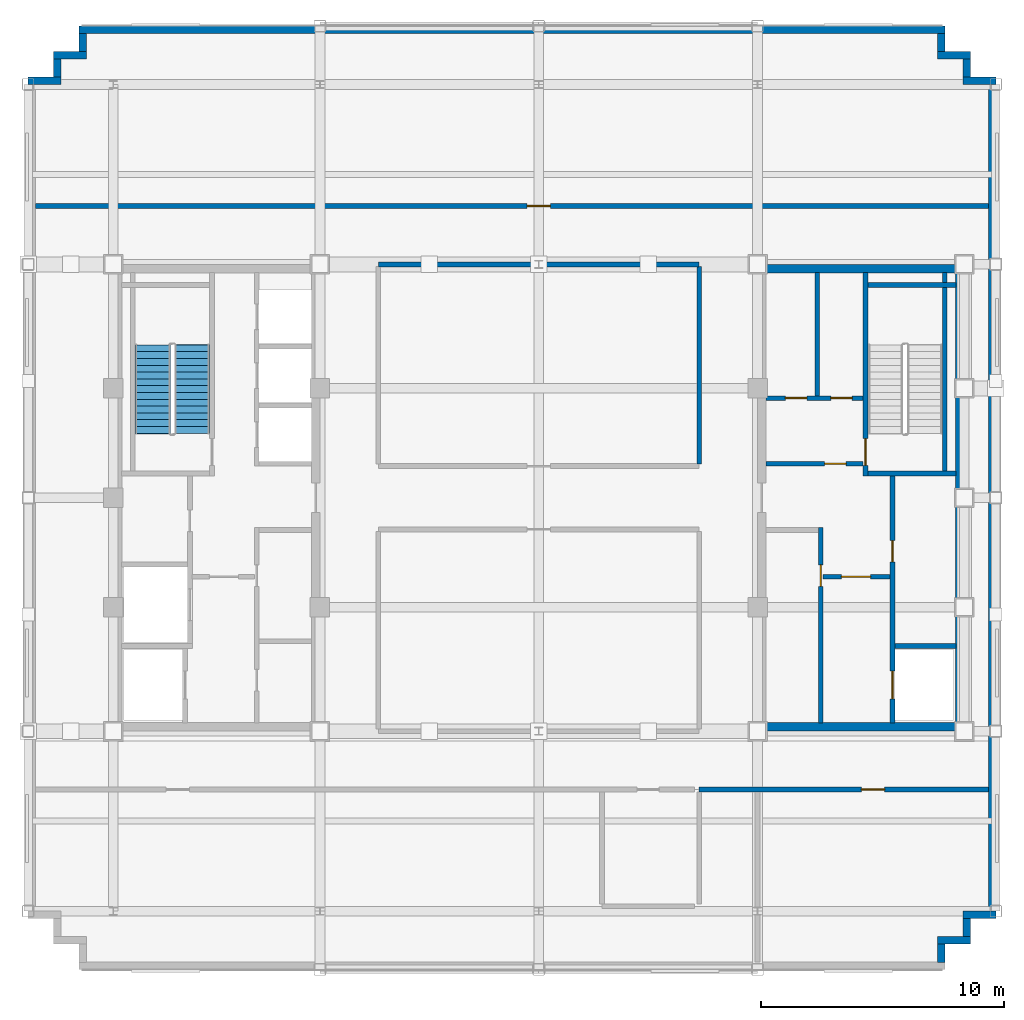
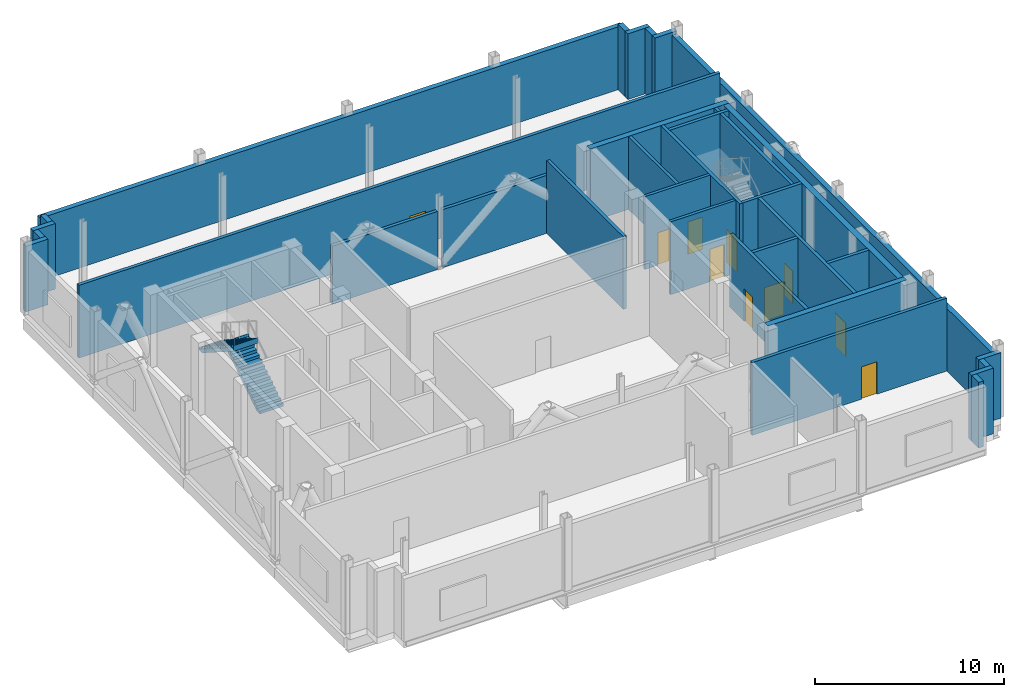
# One storey, part 7 of 12: 33 walls, 10 doors, 2 stair flights, 10 openings, 1 element without a shape of its own.
"""IFC4 building model written with IfcOpenShell, lengths in metres."""

import ifcopenshell
import ifcopenshell.guid

model = None  # the IFC model being written
_history = None  # IfcOwnerHistory: only IFC2X3 demands one
_inside = {}  # id of a spatial element -> (the spatial element, [elements in it])
_under = {}  # id of a project, library or spatial element -> (it, [spatial elements below it])
_declared = {}  # id of a project -> (the project, [libraries it declares])
_typed = {}  # id of a type object -> (the type object, [elements of that type])
_made_of = {}  # id of a material, layer set ... -> (it, [elements and type objects made of it])


def new_model(schema):
    """Start an empty IFC model of exactly this schema.

    Asked for "IFC4X3", IfcOpenShell would pick the latest addendum, in which some entities
    have other attributes; the version numbers below select the first issue.
    IFC2X3 requires an IfcOwnerHistory on every rooted entity: one is made here for all.
    """
    global model, _history
    if schema == "IFC4X3":
        model = ifcopenshell.file(schema_version=(4, 3, 0, 0))
    else:
        model = ifcopenshell.file(schema=schema)
    _inside.clear()
    _under.clear()
    _declared.clear()
    _typed.clear()
    _made_of.clear()
    _history = None
    if model.schema == "IFC2X3":
        org = make("IfcOrganization", Name="unknown")
        user = make(
            "IfcPersonAndOrganization",
            ThePerson=make("IfcPerson", FamilyName="unknown"),
            TheOrganization=org,
        )
        app = make(
            "IfcApplication",
            ApplicationDeveloper=org,
            Version="unknown",
            ApplicationFullName="unknown",
            ApplicationIdentifier="unknown",
        )
        _history = make(
            "IfcOwnerHistory",
            OwningUser=user,
            OwningApplication=app,
            ChangeAction="ADDED",
            CreationDate=0,
        )
    return model


def make(cls, **values):
    """One entity of the class cls with the attributes given. An attribute that is None is left unset."""
    return model.create_entity(
        cls, **{name: value for name, value in values.items() if value is not None}
    )


def rooted(cls, **values):
    """An entity with a GlobalId (a new one), such as an element, a storey or a relation."""
    return make(cls, GlobalId=ifcopenshell.guid.new(), OwnerHistory=_history, **values)


def si_unit(unit_type, name, prefix=None):
    """IfcSIUnit, for example si_unit("LENGTHUNIT", "METRE", prefix="MILLI")."""
    return make("IfcSIUnit", UnitType=unit_type, Prefix=prefix, Name=name)


def assignment(units):
    """IfcUnitAssignment: the units of a project."""
    return None if units is None else make("IfcUnitAssignment", Units=units)


def point(xyz):
    """IfcCartesianPoint."""
    return None if xyz is None else make("IfcCartesianPoint", Coordinates=xyz)


def direction(xyz):
    """IfcDirection."""
    return None if xyz is None else make("IfcDirection", DirectionRatios=xyz)


def frame(location, z_axis=None, x_axis=None):
    """IfcAxis2Placement3D, a coordinate frame: its origin and axes. An axis left out is left unset."""
    return make(
        "IfcAxis2Placement3D",
        Location=point(location),
        Axis=direction(z_axis),
        RefDirection=direction(x_axis),
    )


def frame_2d(location, x_axis=None):
    """IfcAxis2Placement2D, a coordinate frame in the plane: its origin and x axis."""
    return make(
        "IfcAxis2Placement2D", Location=point(location), RefDirection=direction(x_axis)
    )


def origin():
    """The frame at (0, 0, 0) with its axes left unset."""
    return frame((0.0, 0.0, 0.0))


def place(relative_to, where):
    """IfcLocalPlacement: puts the frame where relative to a parent placement (None: the world)."""
    return make(
        "IfcLocalPlacement", PlacementRelTo=relative_to, RelativePlacement=where
    )


def context(
    kind, dimensions, precision=None, world=None, true_north=None, identifier=None
):
    """IfcGeometricRepresentationContext, for example the 3D "Model" context."""
    return make(
        "IfcGeometricRepresentationContext",
        ContextIdentifier=identifier,
        ContextType=kind,
        CoordinateSpaceDimension=dimensions,
        Precision=precision,
        WorldCoordinateSystem=world,
        TrueNorth=true_north,
    )


def subcontext(parent, identifier, kind, view, scale=None):
    """IfcGeometricRepresentationSubContext, for example "Body" below "Model"."""
    return make(
        "IfcGeometricRepresentationSubContext",
        ContextIdentifier=identifier,
        ContextType=kind,
        ParentContext=parent,
        TargetScale=scale,
        TargetView=view,
    )


def project(units=None, contexts=None):
    """IfcProject with its units and contexts."""
    return rooted(
        "IfcProject",
        Name="project",
        RepresentationContexts=contexts,
        UnitsInContext=assignment(units),
    )


def spatial(cls, under=None, at=None, **own):
    """A site, building, storey or space (cls), placed at a placement, below another one or the project."""
    s = rooted(cls, ObjectPlacement=at, **own)
    if under is not None:
        _under.setdefault(under.id(), (under, []))[1].append(s)
    return s


def polyline(points):
    """IfcPolyline through the points."""
    return make("IfcPolyline", Points=[point(p) for p in points])


def profile(cls, at=None, kind="AREA", **sizes):
    """A parametric profile (cls). Its sizes go by their IFC names, for example OverallWidth=200.0."""
    return make(cls, ProfileType=kind, Position=at, **sizes)


def rectangle(**sizes):
    """IfcRectangleProfileDef."""
    return profile("IfcRectangleProfileDef", **sizes)


def outline(outer, holes=None, kind="AREA"):
    """IfcArbitraryClosedProfileDef: a profile drawn as a closed curve; with holes, ...WithVoids."""
    if holes is None:
        return make("IfcArbitraryClosedProfileDef", ProfileType=kind, OuterCurve=outer)
    return make(
        "IfcArbitraryProfileDefWithVoids",
        ProfileType=kind,
        OuterCurve=outer,
        InnerCurves=holes,
    )


def extrude(swept, where, along, depth):
    """IfcExtrudedAreaSolid: the profile swept, set in the frame where, extruded along a direction by depth."""
    return make(
        "IfcExtrudedAreaSolid",
        SweptArea=swept,
        Position=where,
        ExtrudedDirection=direction(along),
        Depth=depth,
    )


def shape(context_of_items, identifier, shape_type, items):
    """IfcShapeRepresentation: the items that make up one representation, for example the "Body"."""
    return make(
        "IfcShapeRepresentation",
        ContextOfItems=context_of_items,
        RepresentationIdentifier=identifier,
        RepresentationType=shape_type,
        Items=items,
    )


def source(mapping_origin, context_of_items, identifier, shape_type, items):
    """IfcRepresentationMap: a shape defined once, which mapped items show again and again."""
    return make(
        "IfcRepresentationMap",
        MappingOrigin=mapping_origin,
        MappedRepresentation=shape(context_of_items, identifier, shape_type, items),
    )


def transform(
    local_origin,
    x_axis=None,
    y_axis=None,
    z_axis=None,
    scale=None,
    scale2=None,
    scale3=None,
    uniform=True,
):
    """IfcCartesianTransformationOperator3D, or its non-uniform kind. x_axis, y_axis, z_axis: its Axis1, 2, 3."""
    if uniform:
        return make(
            "IfcCartesianTransformationOperator3D",
            Axis1=direction(x_axis),
            Axis2=direction(y_axis),
            LocalOrigin=point(local_origin),
            Scale=scale,
            Axis3=direction(z_axis),
        )
    return make(
        "IfcCartesianTransformationOperator3DnonUniform",
        Axis1=direction(x_axis),
        Axis2=direction(y_axis),
        LocalOrigin=point(local_origin),
        Scale=scale,
        Axis3=direction(z_axis),
        Scale2=scale2,
        Scale3=scale3,
    )


def mapped(mapping_source, mapping_target):
    """IfcMappedItem: shows the shape of a source again, moved by a transform."""
    return make(
        "IfcMappedItem", MappingSource=mapping_source, MappingTarget=mapping_target
    )


def material(Name=None, Category=None):
    """IfcMaterial."""
    return make("IfcMaterial", Name=Name, Category=Category)


def layer(
    of_material, thickness, ventilated=None, Name=None, Category=None, Priority=None
):
    """IfcMaterialLayer: one layer of a wall or slab, of a material (None: an air gap)."""
    return make(
        "IfcMaterialLayer",
        Material=of_material,
        LayerThickness=thickness,
        IsVentilated=ventilated,
        Name=Name,
        Category=Category,
        Priority=Priority,
    )


def layer_set(layers, Name=None):
    """IfcMaterialLayerSet."""
    return make("IfcMaterialLayerSet", MaterialLayers=layers, LayerSetName=Name)


def made_of(thing, what):
    """Note that an element or type object is made of a material, layer set ...; save() writes the relation."""
    if what is not None:
        _made_of.setdefault(what.id(), (what, []))[1].append(thing)
    return thing


def type_object(cls, material=None, **own):
    """A type object (cls), such as IfcWallType, which elements share."""
    return made_of(rooted(cls, **own), material)


def type_shapes(of_type, sources):
    """Give a type object the sources (RepresentationMaps) that its elements show as mapped items."""
    of_type.RepresentationMaps = sources


def element(
    cls,
    number,
    at=None,
    inside=None,
    cuts=None,
    type_object=None,
    material=None,
    context=None,
    identifier="Body",
    shape_type=None,
    held_by="IfcProductDefinitionShape",
    body=None,
    shapes=None,
    **own,
):
    """One element of the class cls, such as IfcWall. Its Tag is "e" and its number.

    at: its placement. inside: the storey or other place that contains it. cuts: it is an
    opening in that element (IfcRelVoidsElement). A single representation is given by context,
    identifier, shape_type and body (its items); several are given by shapes. held_by: the class
    of the entity that holds the representations. save() writes the other relations.
    """
    e = rooted(cls, Tag="e%d" % number, ObjectPlacement=at, **own)
    if body is not None:
        shapes = [shape(context, identifier, shape_type, body)]
    if shapes is not None:
        e.Representation = make(held_by, Representations=shapes)
    if inside is not None:
        _inside.setdefault(inside.id(), (inside, []))[1].append(e)
    if cuts is not None:
        rooted(
            "IfcRelVoidsElement", RelatingBuildingElement=cuts, RelatedOpeningElement=e
        )
    if type_object is not None:
        _typed.setdefault(type_object.id(), (type_object, []))[1].append(e)
    return made_of(e, material)


def fill(opening, filler):
    """IfcRelFillsElement: the door or window that sits in an opening."""
    return rooted(
        "IfcRelFillsElement",
        RelatingOpeningElement=opening,
        RelatedBuildingElement=filler,
    )


def aggregate(whole, parts):
    """IfcRelAggregates: a whole, such as a stair, and the parts it consists of."""
    return rooted("IfcRelAggregates", RelatingObject=whole, RelatedObjects=parts)


def save(model, path):
    """Write the relations noted so far, then the file.

    IfcRelAggregates (storeys below a building ...), IfcRelContainedInSpatialStructure (elements
    in a storey), IfcRelDefinesByType, IfcRelAssociatesMaterial and IfcRelDeclares: one each for
    every whole, place, type object, material and project.
    """
    for whole, parts in _under.values():
        aggregate(whole, parts)
    for where, things in _inside.values():
        rooted(
            "IfcRelContainedInSpatialStructure",
            RelatedElements=things,
            RelatingStructure=where,
        )
    for kind, things in _typed.values():
        rooted("IfcRelDefinesByType", RelatedObjects=things, RelatingType=kind)
    for what, things in _made_of.values():
        rooted("IfcRelAssociatesMaterial", RelatedObjects=things, RelatingMaterial=what)
    for by, libraries in _declared.values():
        rooted("IfcRelDeclares", RelatingContext=by, RelatedDefinitions=libraries)
    model.write(path)


model = new_model("IFC4")

# Units and contexts
model_context = context("Model", 3, precision=1e-05, world=origin(), true_north=direction((0.0, 1.0)))
body_context = subcontext(model_context, "Body", "Model", "MODEL_VIEW")
ifc_project = project(units=[si_unit("LENGTHUNIT", "METRE"), si_unit("AREAUNIT", "SQUARE_METRE"), si_unit("VOLUMEUNIT", "CUBIC_METRE"), si_unit("PLANEANGLEUNIT", "RADIAN"), si_unit("MASSUNIT", "GRAM", prefix="KILO")], contexts=[model_context])

# Site, building, storey
site_placement = place(None, origin())
site = spatial("IfcSite", under=ifc_project, at=site_placement, CompositionType="ELEMENT")
building_placement = place(site_placement, origin())
building = spatial("IfcBuilding", under=site, at=building_placement, Name="Nuvemarco Arch Tower", CompositionType="ELEMENT")
storey_placement = place(building_placement, frame((0.0, 0.0, 252.949951171875)))
storey = spatial("IfcBuildingStorey", under=building, at=storey_placement, Name="L67", CompositionType="ELEMENT", Elevation=252.949951171875)

# Walls
ifc_material_1 = material(Name="Precast concrete C45/55", Category="concrete")
ifc_layer_1 = layer(ifc_material_1, 0.300048828125, Name="EW-HIGH-300")
ifc_layer_set_1 = layer_set([ifc_layer_1], Name="Precast concrete C45/55")
wall_type_1 = type_object("IfcWallType", Name="EW-HIGH-300", PredefinedType="STANDARD", material=ifc_layer_set_1)
wall_1_placement = place(storey_placement, frame((16.550048828125, -19.10400390625, 0.0), z_axis=(0.0, 0.0, 1.0), x_axis=(0.0, 1.0, 0.0)))
element("IfcWall", 1, at=wall_1_placement, inside=storey, type_object=wall_type_1, Name="L67 exterior precast facade wall 2", PredefinedType="STANDARD", context=body_context, shape_type="SweptSolid", body=[
    extrude(rectangle(XDim=0.758056640625, YDim=0.300048828125, at=frame_2d((0.37890625, 0.0))), origin(), (0.0, 0.0, 1.0), 4.241943359375),
])
wall_2_placement = place(storey_placement, frame((16.39990234375, -18.199951171875, 0.0), z_axis=(0.0, 0.0, 1.0), x_axis=(1.0, 0.0, 0.0)))
element("IfcWall", 2, at=wall_2_placement, inside=storey, type_object=wall_type_1, Name="L67 exterior precast facade wall 3", PredefinedType="STANDARD", context=body_context, shape_type="SweptSolid", body=[
    extrude(rectangle(XDim=1.35009765625, YDim=0.300048828125, at=frame_2d((0.675048828125, 0.0))), origin(), (0.0, 0.0, 1.0), 4.241943359375),
])
wall_3_placement = place(storey_placement, frame((17.60009765625, -18.053955078125, 0.0), z_axis=(0.0, 0.0, 1.0), x_axis=(0.0, 1.0, 0.0)))
element("IfcWall", 3, at=wall_3_placement, inside=storey, type_object=wall_type_1, Name="L67 exterior precast facade wall 4", PredefinedType="STANDARD", context=body_context, shape_type="SweptSolid", body=[
    extrude(rectangle(XDim=0.758056640625, YDim=0.300048828125, at=frame_2d((0.37890625, 0.0))), origin(), (0.0, 0.0, 1.0), 4.241943359375),
])
wall_4_placement = place(storey_placement, frame((17.449951171875, -17.14990234375, 0.0), z_axis=(0.0, 0.0, 1.0), x_axis=(1.0, 0.0, 0.0)))
element("IfcWall", 4, at=wall_4_placement, inside=storey, type_object=wall_type_1, Name="L67 exterior precast facade wall 5", PredefinedType="STANDARD", context=body_context, shape_type="SweptSolid", body=[
    extrude(rectangle(XDim=1.35009765625, YDim=0.300048828125, at=frame_2d((0.675048828125, 0.0))), origin(), (0.0, 0.0, 1.0), 4.241943359375),
])
wall_5_placement = place(storey_placement, frame((18.64990234375, -17.00390625, 0.0), z_axis=(0.0, 0.0, 1.0), x_axis=(0.0, 1.0, 0.0)))
element("IfcWall", 5, at=wall_5_placement, inside=storey, type_object=wall_type_1, Name="L67 exterior precast facade wall 6", PredefinedType="STANDARD", context=body_context, shape_type="SweptSolid", body=[
    extrude(rectangle(XDim=34.0078125, YDim=0.300048828125, at=frame_2d((17.00390625, 0.0))), origin(), (0.0, 0.0, 1.0), 4.054931640625),
])
wall_6_placement = place(storey_placement, frame((17.449951171875, 17.14990234375, 0.0), z_axis=(0.0, 0.0, 1.0), x_axis=(1.0, 0.0, 0.0)))
element("IfcWall", 6, at=wall_6_placement, inside=storey, type_object=wall_type_1, Name="L67 exterior precast facade wall 7", PredefinedType="STANDARD", context=body_context, shape_type="SweptSolid", body=[
    extrude(rectangle(XDim=1.35009765625, YDim=0.300048828125, at=frame_2d((0.675048828125, 0.0))), origin(), (0.0, 0.0, 1.0), 4.241943359375),
])
wall_7_placement = place(storey_placement, frame((17.60009765625, 17.2958984375, 0.0), z_axis=(0.0, 0.0, 1.0), x_axis=(0.0, 1.0, 0.0)))
element("IfcWall", 7, at=wall_7_placement, inside=storey, type_object=wall_type_1, Name="L67 exterior precast facade wall 8", PredefinedType="STANDARD", context=body_context, shape_type="SweptSolid", body=[
    extrude(rectangle(XDim=0.758056640625, YDim=0.300048828125, at=frame_2d((0.37890625, 0.0))), origin(), (0.0, 0.0, 1.0), 4.241943359375),
])
wall_8_placement = place(storey_placement, frame((16.39990234375, 18.199951171875, 0.0), z_axis=(0.0, 0.0, 1.0), x_axis=(1.0, 0.0, 0.0)))
element("IfcWall", 8, at=wall_8_placement, inside=storey, type_object=wall_type_1, Name="L67 exterior precast facade wall 9", PredefinedType="STANDARD", context=body_context, shape_type="SweptSolid", body=[
    extrude(rectangle(XDim=1.35009765625, YDim=0.300048828125, at=frame_2d((0.675048828125, 0.0))), origin(), (0.0, 0.0, 1.0), 4.241943359375),
])
wall_9_placement = place(storey_placement, frame((16.550048828125, 18.345947265625, 0.0), z_axis=(0.0, 0.0, 1.0), x_axis=(0.0, 1.0, 0.0)))
element("IfcWall", 9, at=wall_9_placement, inside=storey, type_object=wall_type_1, Name="L67 exterior precast facade wall 10", PredefinedType="STANDARD", context=body_context, shape_type="SweptSolid", body=[
    extrude(rectangle(XDim=0.758056640625, YDim=0.300048828125, at=frame_2d((0.37890625, 0.0))), origin(), (0.0, 0.0, 1.0), 4.241943359375),
])
wall_10_placement = place(storey_placement, frame((-18.89990234375, 19.25, 0.0), z_axis=(0.0, 0.0, 1.0), x_axis=(1.0, 0.0, 0.0)))
element("IfcWall", 10, at=wall_10_placement, inside=storey, type_object=wall_type_1, Name="L67 exterior precast facade wall 11", PredefinedType="STANDARD", context=body_context, shape_type="SweptSolid", body=[
    extrude(rectangle(XDim=35.599853515625, YDim=0.300048828125, at=frame_2d((17.7998046875, 0.0))), origin(), (0.0, 0.0, 1.0), 4.054931640625),
])
wall_11_placement = place(storey_placement, frame((-18.75, 18.345947265625, 0.0), z_axis=(0.0, 0.0, 1.0), x_axis=(0.0, 1.0, 0.0)))
element("IfcWall", 11, at=wall_11_placement, inside=storey, type_object=wall_type_1, Name="L67 exterior precast facade wall 12", PredefinedType="STANDARD", context=body_context, shape_type="SweptSolid", body=[
    extrude(rectangle(XDim=0.758056640625, YDim=0.300048828125, at=frame_2d((0.37890625, 0.0))), origin(), (0.0, 0.0, 1.0), 4.241943359375),
])
wall_12_placement = place(storey_placement, frame((-19.949951171875, 18.199951171875, 0.0), z_axis=(0.0, 0.0, 1.0), x_axis=(1.0, 0.0, 0.0)))
element("IfcWall", 12, at=wall_12_placement, inside=storey, type_object=wall_type_1, Name="L67 exterior precast facade wall 13", PredefinedType="STANDARD", context=body_context, shape_type="SweptSolid", body=[
    extrude(rectangle(XDim=1.349853515625, YDim=0.300048828125, at=frame_2d((0.6748046875, 0.0))), origin(), (0.0, 0.0, 1.0), 4.241943359375),
])
wall_13_placement = place(storey_placement, frame((-19.800048828125, 17.2958984375, 0.0), z_axis=(0.0, 0.0, 1.0), x_axis=(0.0, 1.0, 0.0)))
element("IfcWall", 13, at=wall_13_placement, inside=storey, type_object=wall_type_1, Name="L67 exterior precast facade wall 14", PredefinedType="STANDARD", context=body_context, shape_type="SweptSolid", body=[
    extrude(rectangle(XDim=0.758056640625, YDim=0.300048828125, at=frame_2d((0.37890625, 0.0))), origin(), (0.0, 0.0, 1.0), 4.241943359375),
])
wall_14_placement = place(storey_placement, frame((-21.0, 17.14990234375, 0.0), z_axis=(0.0, 0.0, 1.0), x_axis=(1.0, 0.0, 0.0)))
element("IfcWall", 14, at=wall_14_placement, inside=storey, type_object=wall_type_1, Name="L67 exterior precast facade wall 15", PredefinedType="STANDARD", context=body_context, shape_type="SweptSolid", body=[
    extrude(rectangle(XDim=1.35009765625, YDim=0.300048828125, at=frame_2d((0.675048828125, 0.0))), origin(), (0.0, 0.0, 1.0), 4.241943359375),
])
ifc_material_2 = material(Name="Concrete C50/60", Category="concrete")
ifc_layer_2 = layer(ifc_material_2, 0.35009765625, Name="WL-CORE-350")
ifc_layer_set_2 = layer_set([ifc_layer_2], Name="Concrete C50/60")
wall_type_2 = type_object("IfcWallType", Name="WL-CORE-350", PredefinedType="SHEAR", material=ifc_layer_set_2)
for number, where, z_axis, x_axis, name in (
    (15, (9.0, -9.425048828125, 0.0), (0.0, 0.0, 1.0), (1.0, 0.0, 0.0), "L67 E-core shear wall S"),
    (16, (9.0, 9.425048828125, 0.0), (0.0, 0.0, 1.0), (1.0, 0.0, 0.0), "L67 E-core shear wall N"),
):
    element("IfcWall", number, at=place(storey_placement, frame(where, z_axis=z_axis, x_axis=x_axis)), inside=storey, type_object=wall_type_2, Name=name, PredefinedType="SHEAR", context=body_context, shape_type="SweptSolid", body=[
        extrude(rectangle(XDim=8.5, YDim=0.35009765625, at=frame_2d((4.25, 0.0))), origin(), (0.0, 0.0, 1.0), 4.719970703125),
    ])
wall_15_placement = place(storey_placement, frame((17.324951171875, -9.2548828125, 0.0), z_axis=(0.0, 0.0, 1.0), x_axis=(0.0, 1.0, 0.0)))
element("IfcWall", 17, at=wall_15_placement, inside=storey, type_object=wall_type_2, Name="L67 E-core shear wall E", PredefinedType="SHEAR", context=body_context, shape_type="SweptSolid", body=[
    extrude(rectangle(XDim=18.509765625, YDim=0.35009765625, at=frame_2d((9.2548828125, 0.0))), origin(), (0.0, 0.0, 1.0), 4.719970703125),
])

# Wall, opening, door
ifc_material_3 = material(Name="Fire-rated gypsum drywall partition")
ifc_layer_3 = layer(ifc_material_3, 0.179931640625, Name="WL-CORR-180")
ifc_layer_set_3 = layer_set([ifc_layer_3], Name="Fire-rated gypsum drywall partition")
wall_type_3 = type_object("IfcWallType", Name="WL-CORR-180", PredefinedType="PARTITIONING", material=ifc_layer_set_3)
wall_16_placement = place(storey_placement, frame((9.344970703125, 1.39990234375, 0.0), z_axis=(0.0, 0.0, 1.0), x_axis=(1.0, 0.0, 0.0)))
wall_16 = element("IfcWall", 18, at=wall_16_placement, inside=storey, type_object=wall_type_3, Name="L67 interior wall IW-L67-EK-S", PredefinedType="PARTITIONING", context=body_context, shape_type="SweptSolid", body=[
    extrude(rectangle(XDim=4.0, YDim=0.179931640625, at=frame_2d((2.0, 0.0))), origin(), (0.0, 0.0, 1.0), 4.7099609375),
])
opening_1_placement = place(wall_16_placement, frame((2.4150390625, 0.0, 0.0)))
opening_1 = element("IfcOpeningElement", 19, at=opening_1_placement, cuts=wall_16, Name="Opening FD-4", PredefinedType="OPENING", context=body_context, shape_type="SweptSolid", body=[
    extrude(rectangle(XDim=0.8798828125, YDim=2.10009765625, at=frame_2d((0.43994140625, 1.050048828125))), frame((0.0, 0.099853515625, 0.0), z_axis=(0.0, -1.0, 0.0), x_axis=(1.0, 0.0, 0.0)), (0.0, 0.0, 1.0), 0.199951171875),
])
ifc_material_4 = material(Name="Anodised steel fire door", Category="steel")
door_type_1 = type_object("IfcDoorType", Name="DR-RISER-FD", OperationType="NOTDEFINED", PredefinedType="DOOR", material=ifc_material_4)
shared_shape_1 = source(origin(), body_context, "Body", "SweptSolid", [
    extrude(rectangle(XDim=0.8798828125, YDim=2.10009765625, at=frame_2d((0.43994140625, 1.050048828125))), frame((0.0, 0.02490234375, 0.0), z_axis=(0.0, -1.0, 0.0), x_axis=(1.0, 0.0, 0.0)), (0.0, 0.0, 1.0), 0.050048828125),
])
type_shapes(door_type_1, [shared_shape_1])
door_1_placement = place(opening_1_placement, origin())
door_1 = element("IfcDoor", 20, at=door_1_placement, inside=storey, type_object=door_type_1, Name="L67 door FD-L67-EK3A", OperationType="SINGLE_SWING_LEFT", OverallHeight=2.10009765625, OverallWidth=0.8798828125, PredefinedType="DOOR", context=body_context, shape_type="MappedRepresentation", body=[
    mapped(shared_shape_1, transform((0.0, 0.0, 0.0), scale=1.0)),
])
fill(opening_1, door_1)

# Wall, openings, doors
wall_17_placement = place(storey_placement, frame((9.344970703125, 4.10009765625, 0.0), z_axis=(0.0, 0.0, 1.0), x_axis=(1.0, 0.0, 0.0)))
wall_17 = element("IfcWall", 21, at=wall_17_placement, inside=storey, type_object=wall_type_3, Name="L67 interior wall IW-L67-EK3H", PredefinedType="PARTITIONING", context=body_context, shape_type="SweptSolid", body=[
    extrude(rectangle(XDim=4.0, YDim=0.179931640625, at=frame_2d((2.0, 0.0))), origin(), (0.0, 0.0, 1.0), 4.7099609375),
])
opening_2_placement = place(wall_17_placement, frame((0.800048828125, 0.0, 0.0)))
opening_2 = element("IfcOpeningElement", 22, at=opening_2_placement, cuts=wall_17, Name="Opening FD-4", PredefinedType="OPENING", context=body_context, shape_type="SweptSolid", body=[
    extrude(rectangle(XDim=0.8798828125, YDim=2.10009765625, at=frame_2d((0.43994140625, 1.050048828125))), frame((0.0, 0.099853515625, 0.0), z_axis=(0.0, -1.0, 0.0), x_axis=(1.0, 0.0, 0.0)), (0.0, 0.0, 1.0), 0.199951171875),
])
opening_3_placement = place(wall_17_placement, frame((2.6650390625, 0.0, 0.0)))
opening_3 = element("IfcOpeningElement", 23, at=opening_3_placement, cuts=wall_17, Name="Opening FD-4", PredefinedType="OPENING", context=body_context, shape_type="SweptSolid", body=[
    extrude(rectangle(XDim=0.8798828125, YDim=2.10009765625, at=frame_2d((0.43994140625, 1.050048828125))), frame((0.0, 0.099853515625, 0.0), z_axis=(0.0, -1.0, 0.0), x_axis=(1.0, 0.0, 0.0)), (0.0, 0.0, 1.0), 0.199951171875),
])
door_2_placement = place(opening_2_placement, origin())
door_2 = element("IfcDoor", 24, at=door_2_placement, inside=storey, type_object=door_type_1, Name="L67 door FD-L67-EK3B", OperationType="SINGLE_SWING_RIGHT", OverallHeight=2.10009765625, OverallWidth=0.8798828125, PredefinedType="DOOR", context=body_context, shape_type="MappedRepresentation", body=[
    mapped(shared_shape_1, transform((0.0, 0.0, 0.0), scale=1.0)),
])
fill(opening_2, door_2)
door_3_placement = place(opening_3_placement, origin())
door_3 = element("IfcDoor", 25, at=door_3_placement, inside=storey, type_object=door_type_1, Name="L67 door FD-L67-EK3C", OperationType="SINGLE_SWING_LEFT", OverallHeight=2.10009765625, OverallWidth=0.8798828125, PredefinedType="DOOR", context=body_context, shape_type="MappedRepresentation", body=[
    mapped(shared_shape_1, transform((0.0, 0.0, 0.0), scale=1.0)),
])
fill(opening_3, door_3)

# Wall
wall_18_placement = place(storey_placement, frame((11.449951171875, 4.18994140625, 0.0), z_axis=(0.0, 0.0, 1.0), x_axis=(0.0, 1.0, 0.0)))
element("IfcWall", 26, at=wall_18_placement, inside=storey, type_object=wall_type_3, Name="L67 interior wall IW-L67-EK3V", PredefinedType="PARTITIONING", context=body_context, shape_type="SweptSolid", body=[
    extrude(rectangle(XDim=5.06494140625, YDim=0.179931640625, at=frame_2d((2.532470703125, 0.0))), origin(), (0.0, 0.0, 1.0), 4.7099609375),
])

# Wall, opening, door
ifc_layer_4 = layer(ifc_material_1, 0.199951171875, Name="WL-PLANT-200")
ifc_layer_set_4 = layer_set([ifc_layer_4], Name="Precast concrete C45/55")
wall_type_4 = type_object("IfcWallType", Name="WL-PLANT-200", PredefinedType="STANDARD", material=ifc_layer_set_4)
wall_19_placement = place(storey_placement, frame((6.60009765625, -12.0, 0.0), z_axis=(0.0, 0.0, 1.0), x_axis=(1.0, 0.0, 0.0)))
wall_19 = element("IfcWall", 27, at=wall_19_placement, inside=storey, type_object=wall_type_4, Name="L67 interior wall IW-L67-003", PredefinedType="STANDARD", context=body_context, shape_type="SweptSolid", body=[
    extrude(rectangle(XDim=11.89990234375, YDim=0.199951171875, at=frame_2d((5.949951171875, 0.0))), origin(), (0.0, 0.0, 1.0), 4.7099609375),
])
opening_4_placement = place(wall_19_placement, frame((6.669921875, 0.0, 0.0)))
opening_4 = element("IfcOpeningElement", 28, at=opening_4_placement, cuts=wall_19, Name="Opening FD-5", PredefinedType="OPENING", context=body_context, shape_type="SweptSolid", body=[
    extrude(rectangle(XDim=0.9599609375, YDim=2.10009765625, at=frame_2d((0.47998046875, 1.050048828125))), frame((0.0, 0.10986328125, 0.0), z_axis=(0.0, -1.0, 0.0), x_axis=(1.0, 0.0, 0.0)), (0.0, 0.0, 1.0), 0.219970703125),
])
ifc_material_5 = material(Name="Timber fire door", Category="wood")
door_type_2 = type_object("IfcDoorType", Name="DR-CORR-FD", OperationType="NOTDEFINED", PredefinedType="DOOR", material=ifc_material_5)
shared_shape_2 = source(origin(), body_context, "Body", "SweptSolid", [
    extrude(rectangle(XDim=0.9599609375, YDim=2.10009765625, at=frame_2d((0.47998046875, 1.050048828125))), frame((0.0, 0.02490234375, 0.0), z_axis=(0.0, -1.0, 0.0), x_axis=(1.0, 0.0, 0.0)), (0.0, 0.0, 1.0), 0.050048828125),
])
type_shapes(door_type_2, [shared_shape_2])
door_4_placement = place(opening_4_placement, origin())
door_4 = element("IfcDoor", 29, at=door_4_placement, inside=storey, type_object=door_type_2, Name="L67 door DR-L67-PL_AHU", OperationType="SINGLE_SWING_RIGHT", OverallHeight=2.10009765625, OverallWidth=0.9599609375, PredefinedType="DOOR", context=body_context, shape_type="MappedRepresentation", body=[
    mapped(shared_shape_2, transform((0.0, 0.0, 0.0), scale=1.0)),
])
fill(opening_4, door_4)

# Walls
for number, where, z_axis, x_axis, name in (
    (30, (-6.60009765625, 9.60009765625, 0.0), (0.0, 0.0, 1.0), (1.0, 0.0, 0.0), "L67 interior wall IW-L67-008"),
    (31, (0.15087890625, 9.60009765625, 0.0), (0.0, 0.0, 1.0), (1.0, 0.0, 0.0), "L67 interior wall IW-L67-009"),
):
    element("IfcWall", number, at=place(storey_placement, frame(where, z_axis=z_axis, x_axis=x_axis)), inside=storey, type_object=wall_type_4, Name=name, PredefinedType="STANDARD", context=body_context, shape_type="SweptSolid", body=[
        extrude(rectangle(XDim=6.44921875, YDim=0.199951171875, at=frame_2d((3.224609375, 0.0))), origin(), (0.0, 0.0, 1.0), 3.755126953125),
    ])

# Wall, opening, door
wall_20_placement = place(storey_placement, frame((-20.699951171875, 12.0, 0.0), z_axis=(0.0, 0.0, 1.0), x_axis=(1.0, 0.0, 0.0)))
wall_20 = element("IfcWall", 32, at=wall_20_placement, inside=storey, type_object=wall_type_4, Name="L67 interior wall IW-L67-010", PredefinedType="STANDARD", context=body_context, shape_type="SweptSolid", body=[
    extrude(rectangle(XDim=39.199951171875, YDim=0.199951171875, at=frame_2d((19.60009765625, 0.0))), origin(), (0.0, 0.0, 1.0), 4.7099609375),
])
opening_5_placement = place(wall_20_placement, frame((20.219970703125, 0.0, 0.0)))
opening_5 = element("IfcOpeningElement", 33, at=opening_5_placement, cuts=wall_20, Name="Opening FD-5", PredefinedType="OPENING", context=body_context, shape_type="SweptSolid", body=[
    extrude(rectangle(XDim=0.9599609375, YDim=2.10009765625, at=frame_2d((0.47998046875, 1.050048828125))), frame((0.0, 0.10986328125, 0.0), z_axis=(0.0, -1.0, 0.0), x_axis=(1.0, 0.0, 0.0)), (0.0, 0.0, 1.0), 0.219970703125),
])
door_5_placement = place(opening_5_placement, origin())
door_5 = element("IfcDoor", 34, at=door_5_placement, inside=storey, type_object=door_type_2, Name="L67 door DR-L67-REF_NORTH", OperationType="SINGLE_SWING_RIGHT", OverallHeight=2.10009765625, OverallWidth=0.9599609375, PredefinedType="DOOR", context=body_context, shape_type="MappedRepresentation", body=[
    mapped(shared_shape_2, transform((0.0, 0.0, 0.0), scale=1.0)),
])
fill(opening_5, door_5)

# Wall
wall_21_placement = place(storey_placement, frame((6.60009765625, 1.39599609375, 0.0), z_axis=(0.0, 0.0, 1.0), x_axis=(0.0, 1.0, 0.0)))
element("IfcWall", 35, at=wall_21_placement, inside=storey, type_object=wall_type_4, Name="L67 interior wall IW-L67-016", PredefinedType="STANDARD", context=body_context, shape_type="SweptSolid", body=[
    extrude(rectangle(XDim=8.10791015625, YDim=0.199951171875, at=frame_2d((4.053955078125, 0.0))), origin(), (0.0, 0.0, 1.0), 4.7099609375),
])

# Wall, opening, door
ifc_layer_5 = layer(ifc_material_2, 0.199951171875, Name="WL-SHAFT-220")
ifc_layer_set_5 = layer_set([ifc_layer_5], Name="Concrete C50/60")
wall_type_5 = type_object("IfcWallType", Name="WL-SHAFT-220", PredefinedType="SHEAR", material=ifc_layer_set_5)
wall_22_placement = place(storey_placement, frame((13.43994140625, 0.89990234375, 0.0), z_axis=(0.0, 0.0, 1.0), x_axis=(0.0, 1.0, 0.0)))
wall_22 = element("IfcWall", 36, at=wall_22_placement, inside=storey, type_object=wall_type_5, Name="L67 structural shaft wall SW-L67-E-ST2W", PredefinedType="SHEAR", context=body_context, shape_type="SweptSolid", body=[
    extrude(rectangle(XDim=8.35498046875, YDim=0.199951171875, at=frame_2d((4.177490234375, 0.0))), origin(), (0.0, 0.0, 1.0), 4.719970703125),
])
opening_6_placement = place(wall_22_placement, frame((0.429931640625, 0.0, 0.0)))
opening_6 = element("IfcOpeningElement", 37, at=opening_6_placement, cuts=wall_22, Name="Opening FD-1", PredefinedType="OPENING", context=body_context, shape_type="SweptSolid", body=[
    extrude(rectangle(XDim=1.10009765625, YDim=2.14990234375, at=frame_2d((0.550048828125, 1.074951171875))), frame((0.0, 0.10986328125, 0.0), z_axis=(0.0, -1.0, 0.0), x_axis=(1.0, 0.0, 0.0)), (0.0, 0.0, 1.0), 0.219970703125),
])
door_type_3 = type_object("IfcDoorType", Name="DR-STAIR-FD", OperationType="NOTDEFINED", PredefinedType="DOOR", material=ifc_material_4)
shared_shape_3 = source(origin(), body_context, "Body", "SweptSolid", [
    extrude(rectangle(XDim=1.10009765625, YDim=2.14990234375, at=frame_2d((0.550048828125, 1.074951171875))), frame((0.0, 0.02490234375, 0.0), z_axis=(0.0, -1.0, 0.0), x_axis=(1.0, 0.0, 0.0)), (0.0, 0.0, 1.0), 0.050048828125),
])
type_shapes(door_type_3, [shared_shape_3])
door_6_placement = place(opening_6_placement, origin())
door_6 = element("IfcDoor", 38, at=door_6_placement, inside=storey, type_object=door_type_3, Name="L67 door FD-L67-ST2", OperationType="SINGLE_SWING_LEFT", OverallHeight=2.14990234375, OverallWidth=1.10009765625, PredefinedType="DOOR", context=body_context, shape_type="MappedRepresentation", body=[
    mapped(shared_shape_3, transform((0.0, 0.0, 0.0), scale=1.0)),
])
fill(opening_6, door_6)

# Walls
for number, where, z_axis, x_axis, name in (
    (39, (13.534912109375, 1.0, 0.0), (0.0, 0.0, 1.0), (1.0, 0.0, 0.0), "L67 structural shaft wall SW-L67-E-ST2S"),
    (40, (13.534912109375, 8.75, 0.0), (0.0, 0.0, 1.0), (1.0, 0.0, 0.0), "L67 structural shaft wall SW-L67-E-ST2N"),
):
    element("IfcWall", number, at=place(storey_placement, frame(where, z_axis=z_axis, x_axis=x_axis)), inside=storey, type_object=wall_type_5, Name=name, PredefinedType="SHEAR", context=body_context, shape_type="SweptSolid", body=[
        extrude(rectangle(XDim=3.6201171875, YDim=0.199951171875, at=frame_2d((1.81005859375, 0.0))), origin(), (0.0, 0.0, 1.0), 4.719970703125),
    ])
wall_23_placement = place(storey_placement, frame((16.699951171875, 1.094970703125, 0.0), z_axis=(0.0, 0.0, 1.0), x_axis=(0.0, 1.0, 0.0)))
element("IfcWall", 41, at=wall_23_placement, inside=storey, type_object=wall_type_5, Name="L67 structural shaft wall SW-L67-E-ST2E", PredefinedType="SHEAR", context=body_context, shape_type="SweptSolid", body=[
    extrude(rectangle(XDim=8.159912109375, YDim=0.199951171875, at=frame_2d((4.080078125, 0.0))), origin(), (0.0, 0.0, 1.0), 4.719970703125),
])

# Wall, openings, doors
wall_24_placement = place(storey_placement, frame((14.550048828125, -9.2548828125, 0.0), z_axis=(0.0, 0.0, 1.0), x_axis=(0.0, 1.0, 0.0)))
wall_24 = element("IfcWall", 42, at=wall_24_placement, inside=storey, type_object=wall_type_5, Name="L67 structural shaft wall SW-L67-E-SHW", PredefinedType="SHEAR", context=body_context, shape_type="SweptSolid", body=[
    extrude(rectangle(XDim=10.159912109375, YDim=0.199951171875, at=frame_2d((5.080078125, 0.0))), origin(), (0.0, 0.0, 1.0), 4.719970703125),
])
opening_7_placement = place(wall_24_placement, frame((6.614990234375, 0.0, 0.0)))
opening_7 = element("IfcOpeningElement", 43, at=opening_7_placement, cuts=wall_24, Name="Opening FD-4", PredefinedType="OPENING", context=body_context, shape_type="SweptSolid", body=[
    extrude(rectangle(XDim=0.8798828125, YDim=2.10009765625, at=frame_2d((0.43994140625, 1.050048828125))), frame((0.0, 0.10986328125, 0.0), z_axis=(0.0, -1.0, 0.0), x_axis=(1.0, 0.0, 0.0)), (0.0, 0.0, 1.0), 0.219970703125),
])
opening_8_placement = place(wall_24_placement, frame((0.97998046875, 0.0, 0.0)))
opening_8 = element("IfcOpeningElement", 44, at=opening_8_placement, cuts=wall_24, Name="Opening LD-2", PredefinedType="OPENING", context=body_context, shape_type="SweptSolid", body=[
    extrude(rectangle(XDim=1.14990234375, YDim=2.14990234375, at=frame_2d((0.574951171875, 1.074951171875))), frame((0.0, 0.10986328125, 0.0), z_axis=(0.0, -1.0, 0.0), x_axis=(1.0, 0.0, 0.0)), (0.0, 0.0, 1.0), 0.219970703125),
])
door_7_placement = place(opening_7_placement, origin())
door_7 = element("IfcDoor", 45, at=door_7_placement, inside=storey, type_object=door_type_1, Name="L67 door FD-L67-ERIS", OperationType="SINGLE_SWING_LEFT", OverallHeight=2.10009765625, OverallWidth=0.8798828125, PredefinedType="DOOR", context=body_context, shape_type="MappedRepresentation", body=[
    mapped(shared_shape_1, transform((0.0, 0.0, 0.0), scale=1.0)),
])
fill(opening_7, door_7)
ifc_material_6 = material(Name="Stainless steel lift door", Category="steel")
door_type_4 = type_object("IfcDoorType", Name="DR-LIFT-FIRE", OperationType="DOUBLE_DOOR_SLIDING", PredefinedType="DOOR", material=ifc_material_6)
shared_shape_4 = source(origin(), body_context, "Body", "SweptSolid", [
    extrude(rectangle(XDim=1.14990234375, YDim=2.14990234375, at=frame_2d((0.574951171875, 1.074951171875))), frame((0.0, 0.02490234375, 0.0), z_axis=(0.0, -1.0, 0.0), x_axis=(1.0, 0.0, 0.0)), (0.0, 0.0, 1.0), 0.050048828125),
])
type_shapes(door_type_4, [shared_shape_4])
door_8_placement = place(opening_8_placement, origin())
door_8 = element("IfcDoor", 46, at=door_8_placement, inside=storey, type_object=door_type_4, Name="L67 Lift landing sliding door FFL-2", OperationType="DOUBLE_DOOR_SLIDING", OverallHeight=2.14990234375, OverallWidth=1.14990234375, PredefinedType="DOOR", context=body_context, shape_type="MappedRepresentation", body=[
    mapped(shared_shape_4, transform((0.0, 0.0, 0.0), scale=1.0)),
])
fill(opening_8, door_8)

# Wall
wall_25_placement = place(storey_placement, frame((14.64501953125, -6.10009765625, 0.0), z_axis=(0.0, 0.0, 1.0), x_axis=(1.0, 0.0, 0.0)))
element("IfcWall", 47, at=wall_25_placement, inside=storey, type_object=wall_type_5, Name="L67 structural shaft wall SW-L67-E-SH1", PredefinedType="SHEAR", context=body_context, shape_type="SweptSolid", body=[
    extrude(rectangle(XDim=2.510009765625, YDim=0.199951171875, at=frame_2d((1.2548828125, 0.0))), origin(), (0.0, 0.0, 1.0), 4.719970703125),
])

# Wall, opening, door
wall_26_placement = place(storey_placement, frame((11.60009765625, -9.2548828125, 0.0), z_axis=(0.0, 0.0, 1.0), x_axis=(0.0, 1.0, 0.0)))
wall_26 = element("IfcWall", 48, at=wall_26_placement, inside=storey, type_object=wall_type_5, Name="L67 structural shaft wall SW-L67-E-PME", PredefinedType="SHEAR", context=body_context, shape_type="SweptSolid", body=[
    extrude(rectangle(XDim=8.02490234375, YDim=0.199951171875, at=frame_2d((4.012451171875, 0.0))), origin(), (0.0, 0.0, 1.0), 4.719970703125),
])
opening_9_placement = place(wall_26_placement, frame((5.614990234375, 0.0, 0.0)))
opening_9 = element("IfcOpeningElement", 49, at=opening_9_placement, cuts=wall_26, Name="Opening FD-4", PredefinedType="OPENING", context=body_context, shape_type="SweptSolid", body=[
    extrude(rectangle(XDim=0.8798828125, YDim=2.10009765625, at=frame_2d((0.43994140625, 1.050048828125))), frame((0.0, 0.10986328125, 0.0), z_axis=(0.0, -1.0, 0.0), x_axis=(1.0, 0.0, 0.0)), (0.0, 0.0, 1.0), 0.219970703125),
])
door_9_placement = place(opening_9_placement, origin())
door_9 = element("IfcDoor", 50, at=door_9_placement, inside=storey, type_object=door_type_1, Name="L67 door FD-L67-ERECPM", OperationType="SINGLE_SWING_RIGHT", OverallHeight=2.10009765625, OverallWidth=0.8798828125, PredefinedType="DOOR", context=body_context, shape_type="MappedRepresentation", body=[
    mapped(shared_shape_1, transform((0.0, 0.0, 0.0), scale=1.0)),
])
fill(opening_9, door_9)

wall_27_placement = place(storey_placement, frame((11.695068359375, -3.25, 0.0), z_axis=(0.0, 0.0, 1.0), x_axis=(1.0, 0.0, 0.0)))
wall_27 = element("IfcWall", 51, at=wall_27_placement, inside=storey, type_object=wall_type_5, Name="L67 structural shaft wall SW-L67-E-FFN", PredefinedType="SHEAR", context=body_context, shape_type="SweptSolid", body=[
    extrude(rectangle(XDim=2.760009765625, YDim=0.199951171875, at=frame_2d((1.3798828125, 0.0))), origin(), (0.0, 0.0, 1.0), 4.719970703125),
])
opening_10_placement = place(wall_27_placement, frame((0.7548828125, 0.0, 0.0)))
opening_10 = element("IfcOpeningElement", 52, at=opening_10_placement, cuts=wall_27, Name="Opening FD-2", PredefinedType="OPENING", context=body_context, shape_type="SweptSolid", body=[
    extrude(rectangle(XDim=1.199951171875, YDim=2.14990234375, at=frame_2d((0.60009765625, 1.074951171875))), frame((0.0, 0.10986328125, 0.0), z_axis=(0.0, -1.0, 0.0), x_axis=(1.0, 0.0, 0.0)), (0.0, 0.0, 1.0), 0.219970703125),
])
door_type_5 = type_object("IfcDoorType", Name="DR-FFLOB-FD", OperationType="NOTDEFINED", PredefinedType="DOOR", material=ifc_material_4)
shared_shape_5 = source(origin(), body_context, "Body", "SweptSolid", [
    extrude(rectangle(XDim=1.199951171875, YDim=2.14990234375, at=frame_2d((0.60009765625, 1.074951171875))), frame((0.0, 0.02490234375, 0.0), z_axis=(0.0, -1.0, 0.0), x_axis=(1.0, 0.0, 0.0)), (0.0, 0.0, 1.0), 0.050048828125),
])
type_shapes(door_type_5, [shared_shape_5])
door_10_placement = place(opening_10_placement, origin())
door_10 = element("IfcDoor", 53, at=door_10_placement, inside=storey, type_object=door_type_5, Name="L67 door FD-L67-EFF2", OperationType="SINGLE_SWING_LEFT", OverallHeight=2.14990234375, OverallWidth=1.199951171875, PredefinedType="DOOR", context=body_context, shape_type="MappedRepresentation", body=[
    mapped(shared_shape_5, transform((0.0, 0.0, 0.0), scale=1.0)),
])
fill(opening_10, door_10)

# Stair, stair flights
stair_type = type_object("IfcStairType", Name="ST-CORE-28R", PredefinedType="HALF_TURN_STAIR", material=ifc_material_1)
stair_placement = place(storey_placement, origin())
stair = element("IfcStair", 54, at=stair_placement, inside=storey, type_object=stair_type, Name="L67 Protected Exit Stair ST-1", PredefinedType="HALF_TURN_STAIR")
stair_flight_type = type_object("IfcStairFlightType", Name="SF-CORE-28R", PredefinedType="STRAIGHT", material=ifc_material_1)
stair_flight_1_placement = place(storey_placement, frame((-14.264892578125, 2.64990234375, 0.0), z_axis=(0.0, 0.0, 1.0), x_axis=(0.0, 1.0, 0.0)))
stair_flight_1 = element("IfcStairFlight", 55, at=stair_flight_1_placement, type_object=stair_flight_type, Name="ST-28R flight 1", NumberOfRisers=14, NumberOfTreads=13, PredefinedType="STRAIGHT", RiserHeight=0.178571429, TreadLength=0.28, context=body_context, shape_type="SweptSolid", body=[
    extrude(outline(polyline([(0.0, 0.0), (0.0, 0.178466796875), (0.280029296875, 0.178466796875), (0.280029296875, 0.357177734375), (0.56005859375, 0.357177734375), (0.56005859375, 0.53564453125), (0.840087890625, 0.53564453125), (0.840087890625, 0.71435546875), (1.1201171875, 0.71435546875), (1.1201171875, 0.892822265625), (1.39990234375, 0.892822265625), (1.39990234375, 1.071533203125), (1.679931640625, 1.071533203125), (1.679931640625, 1.25), (1.9599609375, 1.25), (1.9599609375, 1.428466796875), (2.239990234375, 1.428466796875), (2.239990234375, 1.607177734375), (2.52001953125, 1.607177734375), (2.52001953125, 1.78564453125), (2.800048828125, 1.78564453125), (2.800048828125, 1.96435546875), (3.080078125, 1.96435546875), (3.080078125, 2.142822265625), (3.360107421875, 2.142822265625), (3.360107421875, 2.321533203125), (3.639892578125, 2.321533203125), (3.639892578125, 2.5), (3.659912109375, 2.5), (3.659912109375, 2.1318359375), (0.3173828125, 0.0), (0.0, 0.0)])), frame((0.0, 0.72509765625, 0.0), z_axis=(0.0, -1.0, 0.0), x_axis=(1.0, 0.0, 0.0)), (0.0, 0.0, 1.0), 1.449951171875),
])
stair_flight_2_placement = place(storey_placement, frame((-15.875, 6.2900390625, 2.5), z_axis=(0.0, 0.0, 1.0), x_axis=(0.0, -1.0, 0.0)))
stair_flight_2 = element("IfcStairFlight", 56, at=stair_flight_2_placement, type_object=stair_flight_type, Name="ST-28R flight 2", NumberOfRisers=14, NumberOfTreads=13, PredefinedType="STRAIGHT", RiserHeight=0.178571429, TreadLength=0.28, context=body_context, shape_type="SweptSolid", body=[
    extrude(outline(polyline([(0.0, 0.0), (0.0, 0.178466796875), (0.280029296875, 0.178466796875), (0.280029296875, 0.357177734375), (0.56005859375, 0.357177734375), (0.56005859375, 0.53564453125), (0.840087890625, 0.53564453125), (0.840087890625, 0.71435546875), (1.1201171875, 0.71435546875), (1.1201171875, 0.892822265625), (1.39990234375, 0.892822265625), (1.39990234375, 1.071533203125), (1.679931640625, 1.071533203125), (1.679931640625, 1.25), (1.9599609375, 1.25), (1.9599609375, 1.428466796875), (2.239990234375, 1.428466796875), (2.239990234375, 1.607177734375), (2.52001953125, 1.607177734375), (2.52001953125, 1.78564453125), (2.800048828125, 1.78564453125), (2.800048828125, 1.96435546875), (3.080078125, 1.96435546875), (3.080078125, 2.142822265625), (3.360107421875, 2.142822265625), (3.360107421875, 2.321533203125), (3.639892578125, 2.321533203125), (3.639892578125, 2.5), (3.659912109375, 2.5), (3.659912109375, 2.1318359375), (0.3173828125, 0.0), (0.0, 0.0)])), frame((0.0, 0.72509765625, 0.0), z_axis=(0.0, -1.0, 0.0), x_axis=(1.0, 0.0, 0.0)), (0.0, 0.0, 1.0), 1.449951171875),
])
aggregate(stair, [stair_flight_1, stair_flight_2])

save(model, "model.ifc")
